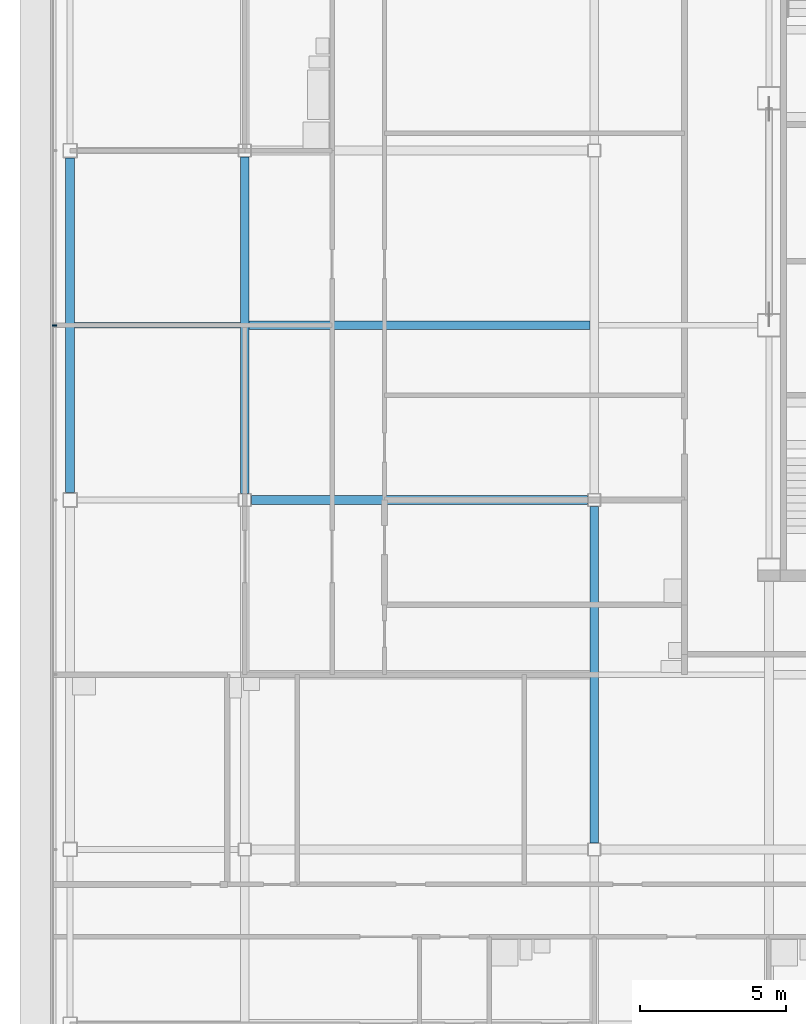
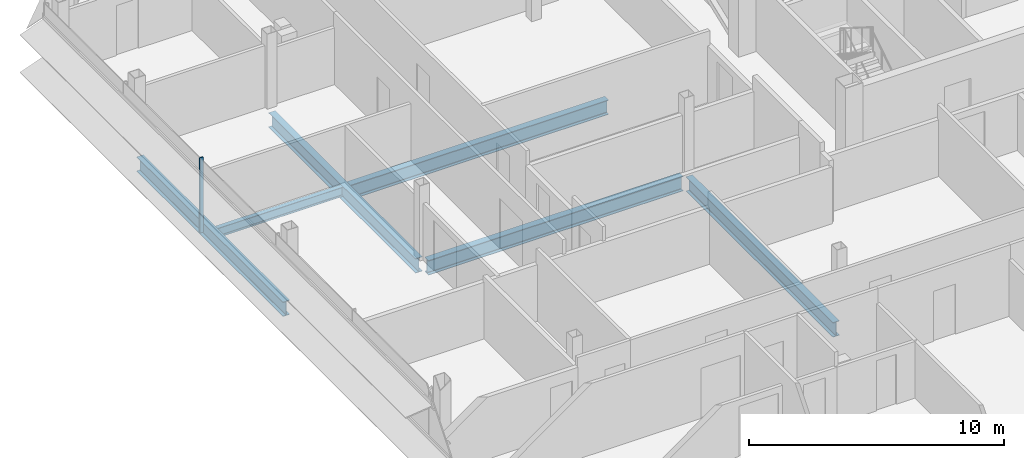
# One storey, part 8 of 28: 6 beams, 1 member, 1 element without a shape of its own.
"""IFC4 building model written with IfcOpenShell, lengths in metres."""

import ifcopenshell
import ifcopenshell.guid

model = None  # the IFC model being written
_history = None  # IfcOwnerHistory: only IFC2X3 demands one
_inside = {}  # id of a spatial element -> (the spatial element, [elements in it])
_under = {}  # id of a project, library or spatial element -> (it, [spatial elements below it])
_declared = {}  # id of a project -> (the project, [libraries it declares])
_typed = {}  # id of a type object -> (the type object, [elements of that type])
_made_of = {}  # id of a material, layer set ... -> (it, [elements and type objects made of it])


def new_model(schema):
    """Start an empty IFC model of exactly this schema.

    Asked for "IFC4X3", IfcOpenShell would pick the latest addendum, in which some entities
    have other attributes; the version numbers below select the first issue.
    IFC2X3 requires an IfcOwnerHistory on every rooted entity: one is made here for all.
    """
    global model, _history
    if schema == "IFC4X3":
        model = ifcopenshell.file(schema_version=(4, 3, 0, 0))
    else:
        model = ifcopenshell.file(schema=schema)
    _inside.clear()
    _under.clear()
    _declared.clear()
    _typed.clear()
    _made_of.clear()
    _history = None
    if model.schema == "IFC2X3":
        org = make("IfcOrganization", Name="unknown")
        user = make(
            "IfcPersonAndOrganization",
            ThePerson=make("IfcPerson", FamilyName="unknown"),
            TheOrganization=org,
        )
        app = make(
            "IfcApplication",
            ApplicationDeveloper=org,
            Version="unknown",
            ApplicationFullName="unknown",
            ApplicationIdentifier="unknown",
        )
        _history = make(
            "IfcOwnerHistory",
            OwningUser=user,
            OwningApplication=app,
            ChangeAction="ADDED",
            CreationDate=0,
        )
    return model


def make(cls, **values):
    """One entity of the class cls with the attributes given. An attribute that is None is left unset."""
    return model.create_entity(
        cls, **{name: value for name, value in values.items() if value is not None}
    )


def rooted(cls, **values):
    """An entity with a GlobalId (a new one), such as an element, a storey or a relation."""
    return make(cls, GlobalId=ifcopenshell.guid.new(), OwnerHistory=_history, **values)


def si_unit(unit_type, name, prefix=None):
    """IfcSIUnit, for example si_unit("LENGTHUNIT", "METRE", prefix="MILLI")."""
    return make("IfcSIUnit", UnitType=unit_type, Prefix=prefix, Name=name)


def assignment(units):
    """IfcUnitAssignment: the units of a project."""
    return None if units is None else make("IfcUnitAssignment", Units=units)


def point(xyz):
    """IfcCartesianPoint."""
    return None if xyz is None else make("IfcCartesianPoint", Coordinates=xyz)


def direction(xyz):
    """IfcDirection."""
    return None if xyz is None else make("IfcDirection", DirectionRatios=xyz)


def frame(location, z_axis=None, x_axis=None):
    """IfcAxis2Placement3D, a coordinate frame: its origin and axes. An axis left out is left unset."""
    return make(
        "IfcAxis2Placement3D",
        Location=point(location),
        Axis=direction(z_axis),
        RefDirection=direction(x_axis),
    )


def frame_2d(location, x_axis=None):
    """IfcAxis2Placement2D, a coordinate frame in the plane: its origin and x axis."""
    return make(
        "IfcAxis2Placement2D", Location=point(location), RefDirection=direction(x_axis)
    )


def origin():
    """The frame at (0, 0, 0) with its axes left unset."""
    return frame((0.0, 0.0, 0.0))


def origin_2d():
    """The frame at (0, 0) in the plane with its x axis left unset."""
    return frame_2d((0.0, 0.0))


def place(relative_to, where):
    """IfcLocalPlacement: puts the frame where relative to a parent placement (None: the world)."""
    return make(
        "IfcLocalPlacement", PlacementRelTo=relative_to, RelativePlacement=where
    )


def context(
    kind, dimensions, precision=None, world=None, true_north=None, identifier=None
):
    """IfcGeometricRepresentationContext, for example the 3D "Model" context."""
    return make(
        "IfcGeometricRepresentationContext",
        ContextIdentifier=identifier,
        ContextType=kind,
        CoordinateSpaceDimension=dimensions,
        Precision=precision,
        WorldCoordinateSystem=world,
        TrueNorth=true_north,
    )


def subcontext(parent, identifier, kind, view, scale=None):
    """IfcGeometricRepresentationSubContext, for example "Body" below "Model"."""
    return make(
        "IfcGeometricRepresentationSubContext",
        ContextIdentifier=identifier,
        ContextType=kind,
        ParentContext=parent,
        TargetScale=scale,
        TargetView=view,
    )


def project(units=None, contexts=None):
    """IfcProject with its units and contexts."""
    return rooted(
        "IfcProject",
        Name="project",
        RepresentationContexts=contexts,
        UnitsInContext=assignment(units),
    )


def spatial(cls, under=None, at=None, **own):
    """A site, building, storey or space (cls), placed at a placement, below another one or the project."""
    s = rooted(cls, ObjectPlacement=at, **own)
    if under is not None:
        _under.setdefault(under.id(), (under, []))[1].append(s)
    return s


def profile(cls, at=None, kind="AREA", **sizes):
    """A parametric profile (cls). Its sizes go by their IFC names, for example OverallWidth=200.0."""
    return make(cls, ProfileType=kind, Position=at, **sizes)


def rectangle(**sizes):
    """IfcRectangleProfileDef."""
    return profile("IfcRectangleProfileDef", **sizes)


def i_section(**sizes):
    """IfcIShapeProfileDef."""
    return profile("IfcIShapeProfileDef", **sizes)


def extrude(swept, where, along, depth):
    """IfcExtrudedAreaSolid: the profile swept, set in the frame where, extruded along a direction by depth."""
    return make(
        "IfcExtrudedAreaSolid",
        SweptArea=swept,
        Position=where,
        ExtrudedDirection=direction(along),
        Depth=depth,
    )


def shape(context_of_items, identifier, shape_type, items):
    """IfcShapeRepresentation: the items that make up one representation, for example the "Body"."""
    return make(
        "IfcShapeRepresentation",
        ContextOfItems=context_of_items,
        RepresentationIdentifier=identifier,
        RepresentationType=shape_type,
        Items=items,
    )


def material(Name=None, Category=None):
    """IfcMaterial."""
    return make("IfcMaterial", Name=Name, Category=Category)


def material_profile(
    of_material, cross_section, Name=None, Category=None, Priority=None
):
    """IfcMaterialProfile: a cross section and its material."""
    return make(
        "IfcMaterialProfile",
        Name=Name,
        Material=of_material,
        Profile=cross_section,
        Priority=Priority,
        Category=Category,
    )


def profile_set(profiles, Name=None, composite=None):
    """IfcMaterialProfileSet."""
    return make(
        "IfcMaterialProfileSet",
        Name=Name,
        MaterialProfiles=profiles,
        CompositeProfile=composite,
    )


def made_of(thing, what):
    """Note that an element or type object is made of a material, layer set ...; save() writes the relation."""
    if what is not None:
        _made_of.setdefault(what.id(), (what, []))[1].append(thing)
    return thing


def type_object(cls, material=None, **own):
    """A type object (cls), such as IfcWallType, which elements share."""
    return made_of(rooted(cls, **own), material)


def element(
    cls,
    number,
    at=None,
    inside=None,
    cuts=None,
    type_object=None,
    material=None,
    context=None,
    identifier="Body",
    shape_type=None,
    held_by="IfcProductDefinitionShape",
    body=None,
    shapes=None,
    **own,
):
    """One element of the class cls, such as IfcWall. Its Tag is "e" and its number.

    at: its placement. inside: the storey or other place that contains it. cuts: it is an
    opening in that element (IfcRelVoidsElement). A single representation is given by context,
    identifier, shape_type and body (its items); several are given by shapes. held_by: the class
    of the entity that holds the representations. save() writes the other relations.
    """
    e = rooted(cls, Tag="e%d" % number, ObjectPlacement=at, **own)
    if body is not None:
        shapes = [shape(context, identifier, shape_type, body)]
    if shapes is not None:
        e.Representation = make(held_by, Representations=shapes)
    if inside is not None:
        _inside.setdefault(inside.id(), (inside, []))[1].append(e)
    if cuts is not None:
        rooted(
            "IfcRelVoidsElement", RelatingBuildingElement=cuts, RelatedOpeningElement=e
        )
    if type_object is not None:
        _typed.setdefault(type_object.id(), (type_object, []))[1].append(e)
    return made_of(e, material)


def aggregate(whole, parts):
    """IfcRelAggregates: a whole, such as a stair, and the parts it consists of."""
    return rooted("IfcRelAggregates", RelatingObject=whole, RelatedObjects=parts)


def save(model, path):
    """Write the relations noted so far, then the file.

    IfcRelAggregates (storeys below a building ...), IfcRelContainedInSpatialStructure (elements
    in a storey), IfcRelDefinesByType, IfcRelAssociatesMaterial and IfcRelDeclares: one each for
    every whole, place, type object, material and project.
    """
    for whole, parts in _under.values():
        aggregate(whole, parts)
    for where, things in _inside.values():
        rooted(
            "IfcRelContainedInSpatialStructure",
            RelatedElements=things,
            RelatingStructure=where,
        )
    for kind, things in _typed.values():
        rooted("IfcRelDefinesByType", RelatedObjects=things, RelatingType=kind)
    for what, things in _made_of.values():
        rooted("IfcRelAssociatesMaterial", RelatedObjects=things, RelatingMaterial=what)
    for by, libraries in _declared.values():
        rooted("IfcRelDeclares", RelatingContext=by, RelatedDefinitions=libraries)
    model.write(path)


model = new_model("IFC4")

# Units and contexts
model_context = context("Model", 3, precision=1e-05, world=origin(), true_north=direction((0.0, 1.0)))
body_context = subcontext(model_context, "Body", "Model", "MODEL_VIEW")
ifc_project = project(units=[si_unit("LENGTHUNIT", "METRE"), si_unit("AREAUNIT", "SQUARE_METRE"), si_unit("VOLUMEUNIT", "CUBIC_METRE"), si_unit("PLANEANGLEUNIT", "RADIAN"), si_unit("MASSUNIT", "GRAM", prefix="KILO")], contexts=[model_context])

# Site, building, storey
site_placement = place(None, origin())
site = spatial("IfcSite", under=ifc_project, at=site_placement, CompositionType="ELEMENT")
building_placement = place(site_placement, origin())
building = spatial("IfcBuilding", under=site, at=building_placement, Name="Sorahane Residences", CompositionType="ELEMENT")
storey_placement = place(building_placement, frame((0.0, 0.0, 305.199951171875)))
storey = spatial("IfcBuildingStorey", under=building, at=storey_placement, Name="L72", CompositionType="ELEMENT", Elevation=305.199951171875)

# Curtain wall, member
ifc_material_1 = material(Name="Dark low-e glass and black anodised aluminium", Category="aluminium")
curtain_wall_type = type_object("IfcCurtainWallType", Name="Curtain wall CW-1 Typical unitised wall", PredefinedType="NOTDEFINED", material=ifc_material_1)
curtain_wall_placement = place(storey_placement, origin())
curtain_wall = element("IfcCurtainWall", 1, at=curtain_wall_placement, inside=storey, type_object=curtain_wall_type, Name="CW-1 curtain wall L72 W1", PredefinedType="NOTDEFINED")
ifc_material_2 = material(Name="Black anodised aluminium", Category="aluminium")
ifc_material_profile_1 = material_profile(ifc_material_2, rectangle(XDim=0.159912109375, YDim=0.050048828125, at=origin_2d()), Name="Curtain wall mullion CW-1 black anodised aluminium 50x160")
ifc_profile_set_1 = profile_set([ifc_material_profile_1], Name="Black anodised aluminium")
member_type = type_object("IfcMemberType", Name="Curtain wall mullion CW-1 black anodised aluminium 50x160", PredefinedType="MULLION", material=ifc_profile_set_1)
member_placement = place(storey_placement, frame((-18.5400390625, 30.0, -0.179931640625), z_axis=(0.0, 0.0, 1.0), x_axis=(-1.0, 0.0, 0.0)))
member = element("IfcMember", 2, at=member_placement, type_object=member_type, Name="CW-1 mullion L72 W1.3", PredefinedType="MULLION", context=body_context, shape_type="SweptSolid", body=[
    extrude(rectangle(XDim=0.159912109375, YDim=0.050048828125, at=origin_2d()), origin(), (0.0, 0.0, 1.0), 3.60009765625),
])
aggregate(curtain_wall, [member])

# Beams
ifc_material_3 = material(Name="Steel Q355B", Category="steel")
ifc_material_profile_2 = material_profile(ifc_material_3, i_section(OverallWidth=0.199951171875, OverallDepth=0.449951171875, WebThickness=0.009033203125, FlangeThickness=0.013916015625, FilletRadius=0.02001953125, at=origin_2d()), Name="HN 450x200x9x14")
ifc_profile_set_2 = profile_set([ifc_material_profile_2], Name="Steel Q355B")
beam_type_1 = type_object("IfcBeamType", Name="Steel floor beam HN 450x200x9x14 Q355B", PredefinedType="BEAM", material=ifc_profile_set_2)
beam_1_placement = place(storey_placement, frame((-17.85009765625, 30.0, -0.405029296875), z_axis=(1.0, 0.0, 0.0), x_axis=(0.0, 1.0, 0.0)))
element("IfcBeam", 3, at=beam_1_placement, inside=storey, type_object=beam_type_1, Name="Beam L72 083", PredefinedType="BEAM", context=body_context, shape_type="SweptSolid", body=[
    extrude(i_section(OverallWidth=0.199951171875, OverallDepth=0.449951171875, WebThickness=0.009033203125, FlangeThickness=0.013916015625, FilletRadius=0.02001953125, at=origin_2d()), origin(), (0.0, 0.0, 1.0), 5.7001953125),
])
ifc_material_4 = material(Name="Steel Q355B", Category="steel")
ifc_material_profile_3 = material_profile(ifc_material_4, i_section(OverallWidth=0.300048828125, OverallDepth=0.699951171875, WebThickness=0.012939453125, FlangeThickness=0.02392578125, FilletRadius=0.028076171875, at=origin_2d()), Name="HN 700x300x13x24")
ifc_profile_set_3 = profile_set([ifc_material_profile_3], Name="Steel Q355B")
beam_type_2 = type_object("IfcBeamType", Name="Steel floor beam HN 700x300x13x24 Q355B", PredefinedType="BEAM", material=ifc_profile_set_3)
beam_2_placement = place(storey_placement, frame((-11.77490234375, 24.0, -0.530029296875), z_axis=(1.0, 0.0, 0.0), x_axis=(0.0, 1.0, 0.0)))
element("IfcBeam", 4, at=beam_2_placement, inside=storey, type_object=beam_type_2, Name="Beam L72 012", PredefinedType="BEAM", context=body_context, shape_type="SweptSolid", body=[
    extrude(i_section(OverallWidth=0.300048828125, OverallDepth=0.699951171875, WebThickness=0.012939453125, FlangeThickness=0.02392578125, FilletRadius=0.028076171875, at=origin_2d()), origin(), (0.0, 0.0, 1.0), 11.5498046875),
])
beam_3_placement = place(storey_placement, frame((-18.0, 24.25, -0.530029296875), z_axis=(0.0, 1.0, 0.0), x_axis=(-1.0, 0.0, 0.0)))
element("IfcBeam", 5, at=beam_3_placement, inside=storey, type_object=beam_type_2, Name="Beam L72 022", PredefinedType="BEAM", context=body_context, shape_type="SweptSolid", body=[
    extrude(i_section(OverallWidth=0.300048828125, OverallDepth=0.699951171875, WebThickness=0.012939453125, FlangeThickness=0.02392578125, FilletRadius=0.028076171875, at=origin_2d()), origin(), (0.0, 0.0, 1.0), 11.5),
])
for number, where, z_axis, x_axis, name in (
    (6, (-12.0, 24.22509765625, -0.530029296875), (0.0, 1.0, 0.0), (-1.0, 0.0, 0.0), "Beam L72 026"),
    (7, (0.0, 12.22509765625, -0.530029296875), (0.0, 1.0, 0.0), (-1.0, 0.0, 0.0), "Beam L72 029"),
):
    element("IfcBeam", number, at=place(storey_placement, frame(where, z_axis=z_axis, x_axis=x_axis)), inside=storey, type_object=beam_type_2, Name=name, PredefinedType="BEAM", context=body_context, shape_type="SweptSolid", body=[
        extrude(i_section(OverallWidth=0.300048828125, OverallDepth=0.699951171875, WebThickness=0.012939453125, FlangeThickness=0.02392578125, FilletRadius=0.028076171875, at=origin_2d()), origin(), (0.0, 0.0, 1.0), 11.5498046875),
    ])
beam_4_placement = place(storey_placement, frame((-11.85009765625, 30.0, -0.530029296875), z_axis=(1.0, 0.0, 0.0), x_axis=(0.0, 1.0, 0.0)))
element("IfcBeam", 8, at=beam_4_placement, inside=storey, type_object=beam_type_2, Name="Beam L72 084", PredefinedType="BEAM", context=body_context, shape_type="SweptSolid", body=[
    extrude(i_section(OverallWidth=0.300048828125, OverallDepth=0.699951171875, WebThickness=0.012939453125, FlangeThickness=0.02392578125, FilletRadius=0.028076171875, at=origin_2d()), origin(), (0.0, 0.0, 1.0), 11.7001953125),
])

save(model, "model.ifc")
